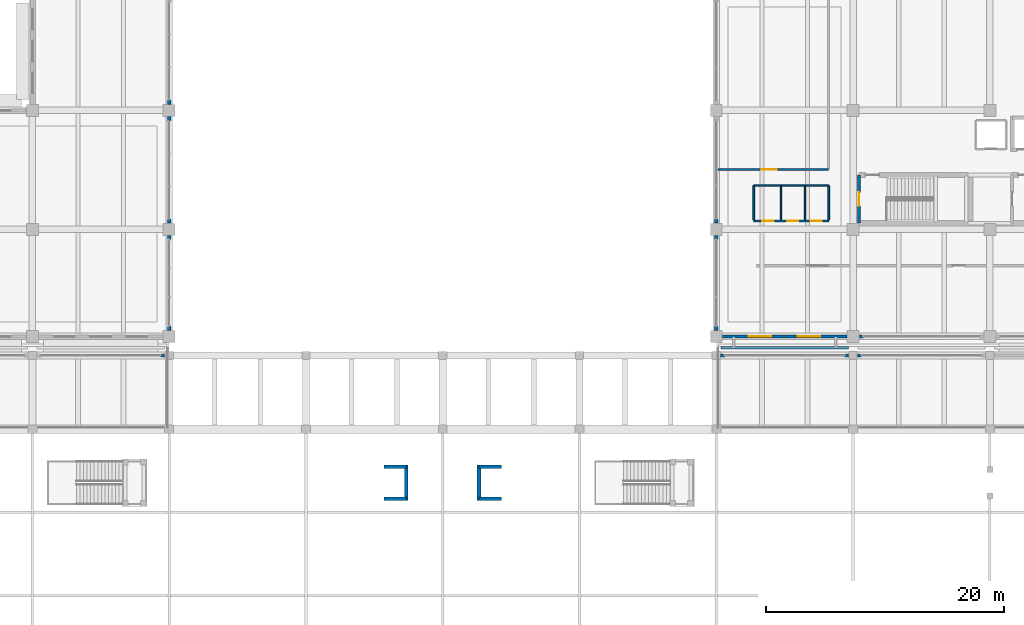
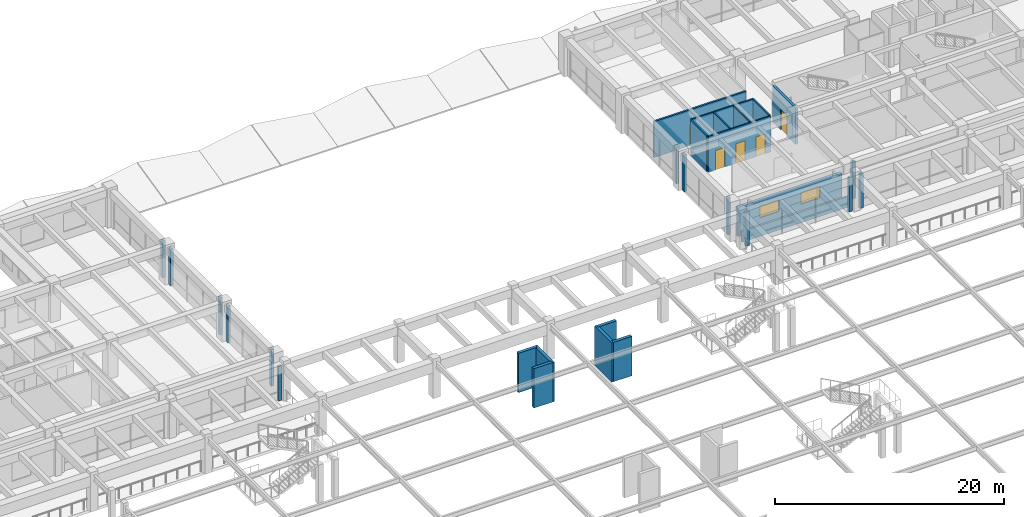
# One storey, part 76 of 98: 29 walls, 5 doors, 2 windows, 7 openings.
"""IFC4 building model written with IfcOpenShell, lengths in metres."""

from ifc_helpers import new_model, si_unit, direction, frame, frame_2d, origin, place, context, subcontext, project, spatial, rectangle, extrude, material, layer, layer_set, type_object, element, fill, save


model = new_model("IFC4")

# Units and contexts
model_context = context("Model", 3, precision=1e-05, world=origin(), true_north=direction((0.0, 1.0)))
body_context = subcontext(model_context, "Body", "Model", "MODEL_VIEW")
ifc_project = project(units=[si_unit("LENGTHUNIT", "METRE"), si_unit("AREAUNIT", "SQUARE_METRE"), si_unit("VOLUMEUNIT", "CUBIC_METRE"), si_unit("PLANEANGLEUNIT", "RADIAN"), si_unit("MASSUNIT", "GRAM", prefix="KILO")], contexts=[model_context])

# Site, building, storey
site_placement = place(None, origin())
site = spatial("IfcSite", under=ifc_project, at=site_placement, CompositionType="ELEMENT")
building_placement = place(site_placement, origin())
building = spatial("IfcBuilding", under=site, at=building_placement, Name="Ologun Quay Terminus", CompositionType="ELEMENT")
storey_placement = place(building_placement, frame((0.0, 0.0, 4.199951171875)))
storey = spatial("IfcBuildingStorey", under=building, at=storey_placement, Name="L01", CompositionType="ELEMENT", Elevation=4.199951171875)

# Walls
ifc_material_1 = material(Name="Concrete C40/50", Category="concrete")
ifc_layer_1 = layer(ifc_material_1, 0.280029296875)
ifc_layer_set_1 = layer_set([ifc_layer_1], Name="Concrete C40/50")
wall_type_1 = type_object("IfcWallType", Name="Courtyard Wing Spandrel Concrete Wall 280", PredefinedType="SOLIDWALL", material=ifc_layer_set_1)
for number, where, z_axis, x_axis, name in (
    (1, (68.280029296875, 84.199951171875, 0.0), (0.0, 0.0, 1.0), (1.0, 0.0, 0.0), "Curtain Wall Jamb Pier CW-L01-089-J2"),
    (2, (115.3701171875, 84.199951171875, 0.0), (0.0, 0.0, 1.0), (1.0, 0.0, 0.0), "Curtain Wall Jamb Pier CW-L01-090-J1"),
    (3, (125.780029296875, 84.199951171875, 0.0), (0.0, 0.0, 1.0), (1.0, 0.0, 0.0), "Curtain Wall Jamb Pier CW-L01-090-J2"),
    (4, (126.8701171875, 84.199951171875, 0.0), (0.0, 0.0, 1.0), (1.0, 0.0, 0.0), "Curtain Wall Jamb Pier CW-L01-091-J1"),
):
    element("IfcWall", number, at=place(storey_placement, frame(where, z_axis=z_axis, x_axis=x_axis)), inside=storey, type_object=wall_type_1, Name=name, PredefinedType="SOLIDWALL", context=body_context, shape_type="SweptSolid", body=[
        extrude(rectangle(XDim=0.349853515625, YDim=0.280029296875, at=frame_2d((0.1748046875, 0.0))), origin(), (0.0, 0.0, 1.0), 3.650146484375),
    ])
wall_1_placement = place(storey_placement, frame((69.0, 86.320068359375, 0.0), z_axis=(0.0, 0.0, 1.0), x_axis=(0.0, 1.0, 0.0)))
element("IfcWall", 5, at=wall_1_placement, inside=storey, type_object=wall_type_1, Name="Curtain Wall Jamb Pier CW-L01-099-J1", PredefinedType="SOLIDWALL", context=body_context, shape_type="SweptSolid", body=[
    extrude(rectangle(XDim=0.349853515625, YDim=0.280029296875, at=frame_2d((0.1748046875, 0.0))), origin(), (0.0, 0.0, 1.0), 3.929931640625),
])
wall_2_placement = place(storey_placement, frame((69.0, 93.929931640625, 0.0), z_axis=(0.0, 0.0, 1.0), x_axis=(0.0, 1.0, 0.0)))
element("IfcWall", 6, at=wall_2_placement, inside=storey, type_object=wall_type_1, Name="Curtain Wall Jamb Pier CW-L01-099-J2", PredefinedType="SOLIDWALL", context=body_context, shape_type="SweptSolid", body=[
    extrude(rectangle(XDim=0.35009765625, YDim=0.280029296875, at=frame_2d((0.175048828125, 0.0))), origin(), (0.0, 0.0, 1.0), 3.929931640625),
])
wall_3_placement = place(storey_placement, frame((69.0, 95.320068359375, 0.0), z_axis=(0.0, 0.0, 1.0), x_axis=(0.0, 1.0, 0.0)))
element("IfcWall", 7, at=wall_3_placement, inside=storey, type_object=wall_type_1, Name="Curtain Wall Jamb Pier CW-L01-100-J1", PredefinedType="SOLIDWALL", context=body_context, shape_type="SweptSolid", body=[
    extrude(rectangle(XDim=0.349853515625, YDim=0.280029296875, at=frame_2d((0.1748046875, 0.0))), origin(), (0.0, 0.0, 1.0), 3.929931640625),
])
wall_4_placement = place(storey_placement, frame((69.0, 103.929931640625, 0.0), z_axis=(0.0, 0.0, 1.0), x_axis=(0.0, 1.0, 0.0)))
element("IfcWall", 8, at=wall_4_placement, inside=storey, type_object=wall_type_1, Name="Curtain Wall Jamb Pier CW-L01-100-J2", PredefinedType="SOLIDWALL", context=body_context, shape_type="SweptSolid", body=[
    extrude(rectangle(XDim=0.35009765625, YDim=0.280029296875, at=frame_2d((0.175048828125, 0.0))), origin(), (0.0, 0.0, 1.0), 3.929931640625),
])
wall_5_placement = place(storey_placement, frame((69.0, 105.320068359375, 0.0), z_axis=(0.0, 0.0, 1.0), x_axis=(0.0, 1.0, 0.0)))
element("IfcWall", 9, at=wall_5_placement, inside=storey, type_object=wall_type_1, Name="Curtain Wall Jamb Pier CW-L01-101-J1", PredefinedType="SOLIDWALL", context=body_context, shape_type="SweptSolid", body=[
    extrude(rectangle(XDim=0.349853515625, YDim=0.280029296875, at=frame_2d((0.1748046875, 0.0))), origin(), (0.0, 0.0, 1.0), 3.929931640625),
])

# Wall, openings, windows
wall_6_placement = place(storey_placement, frame((115.52001953125, 85.800048828125, 0.0), z_axis=(0.0, 0.0, 1.0), x_axis=(1.0, 0.0, 0.0)))
wall_6 = element("IfcWall", 10, at=wall_6_placement, inside=storey, type_object=wall_type_1, Name="EW-02 Facade Wall WEW-EW-L01-1", PredefinedType="SOLIDWALL", context=body_context, shape_type="SweptSolid", body=[
    extrude(rectangle(XDim=10.4599609375, YDim=0.280029296875, at=frame_2d((5.22998046875, 0.0))), origin(), (0.0, 0.0, 1.0), 3.150146484375),
])
opening_1_placement = place(wall_6_placement, frame((2.219970703125, 0.0, 1.25)))
opening_1 = element("IfcOpeningElement", 11, at=opening_1_placement, cuts=wall_6, Name="Opening WN-356", PredefinedType="OPENING", context=body_context, shape_type="SweptSolid", body=[
    extrude(rectangle(XDim=1.89990234375, YDim=1.25, at=frame_2d((0.949951171875, 0.625))), frame((0.0, 0.14990234375, 0.0), z_axis=(0.0, -1.0, 0.0), x_axis=(1.0, 0.0, 0.0)), (0.0, 0.0, 1.0), 0.300048828125),
])
opening_2_placement = place(wall_6_placement, frame((6.340087890625, 0.0, 1.25)))
opening_2 = element("IfcOpeningElement", 12, at=opening_2_placement, cuts=wall_6, Name="Opening WN-357", PredefinedType="OPENING", context=body_context, shape_type="SweptSolid", body=[
    extrude(rectangle(XDim=1.89990234375, YDim=1.25, at=frame_2d((0.949951171875, 0.625))), frame((0.0, 0.14990234375, 0.0), z_axis=(0.0, -1.0, 0.0), x_axis=(1.0, 0.0, 0.0)), (0.0, 0.0, 1.0), 0.300048828125),
])
ifc_material_2 = material(Name="Glass", Category="glass")
window_type = type_object("IfcWindowType", Name="Signalling Equipment High Window 1900x1250", PartitioningType="SINGLE_PANEL", PredefinedType="WINDOW", material=ifc_material_2)
window_1_placement = place(opening_1_placement, origin())
window_1 = element("IfcWindow", 13, at=window_1_placement, inside=storey, type_object=window_type, Name="W-18 Window WN-356", OverallHeight=1.25, OverallWidth=1.89990234375, PartitioningType="SINGLE_PANEL", PredefinedType="WINDOW", context=body_context, shape_type="SweptSolid", body=[
    extrude(rectangle(XDim=1.89990234375, YDim=1.25, at=frame_2d((0.949951171875, 0.625))), frame((0.0, 0.030029296875, 0.0), z_axis=(0.0, -1.0, 0.0), x_axis=(1.0, 0.0, 0.0)), (0.0, 0.0, 1.0), 0.06005859375),
])
fill(opening_1, window_1)
window_2_placement = place(opening_2_placement, origin())
window_2 = element("IfcWindow", 14, at=window_2_placement, inside=storey, type_object=window_type, Name="W-18 Window WN-357", OverallHeight=1.25, OverallWidth=1.89990234375, PartitioningType="SINGLE_PANEL", PredefinedType="WINDOW", context=body_context, shape_type="SweptSolid", body=[
    extrude(rectangle(XDim=1.89990234375, YDim=1.25, at=frame_2d((0.949951171875, 0.625))), frame((0.0, 0.030029296875, 0.0), z_axis=(0.0, -1.0, 0.0), x_axis=(1.0, 0.0, 0.0)), (0.0, 0.0, 1.0), 0.06005859375),
])
fill(opening_2, window_2)

# Walls
wall_7_placement = place(storey_placement, frame((127.02001953125, 85.800048828125, 0.0), z_axis=(0.0, 0.0, 1.0), x_axis=(1.0, 0.0, 0.0)))
element("IfcWall", 15, at=wall_7_placement, inside=storey, type_object=wall_type_1, Name="Curtain Wall Jamb Pier CW-L01-124-J1", PredefinedType="SOLIDWALL", context=body_context, shape_type="SweptSolid", body=[
    extrude(rectangle(XDim=0.35009765625, YDim=0.280029296875, at=frame_2d((0.175048828125, 0.0))), origin(), (0.0, 0.0, 1.0), 3.929931640625),
])
wall_8_placement = place(storey_placement, frame((115.0, 86.320068359375, 0.0), z_axis=(0.0, 0.0, 1.0), x_axis=(0.0, 1.0, 0.0)))
element("IfcWall", 16, at=wall_8_placement, inside=storey, type_object=wall_type_1, Name="Curtain Wall Jamb Pier CW-L01-128-J1", PredefinedType="SOLIDWALL", context=body_context, shape_type="SweptSolid", body=[
    extrude(rectangle(XDim=0.349853515625, YDim=0.280029296875, at=frame_2d((0.1748046875, 0.0))), origin(), (0.0, 0.0, 1.0), 3.929931640625),
])
wall_9_placement = place(storey_placement, frame((115.0, 93.929931640625, 0.0), z_axis=(0.0, 0.0, 1.0), x_axis=(0.0, 1.0, 0.0)))
element("IfcWall", 17, at=wall_9_placement, inside=storey, type_object=wall_type_1, Name="Curtain Wall Jamb Pier CW-L01-128-J2", PredefinedType="SOLIDWALL", context=body_context, shape_type="SweptSolid", body=[
    extrude(rectangle(XDim=0.35009765625, YDim=0.280029296875, at=frame_2d((0.175048828125, 0.0))), origin(), (0.0, 0.0, 1.0), 3.929931640625),
])
wall_10_placement = place(storey_placement, frame((115.0, 95.320068359375, 0.0), z_axis=(0.0, 0.0, 1.0), x_axis=(0.0, 1.0, 0.0)))
element("IfcWall", 18, at=wall_10_placement, inside=storey, type_object=wall_type_1, Name="Curtain Wall Jamb Pier CW-L01-129-J1", PredefinedType="SOLIDWALL", context=body_context, shape_type="SweptSolid", body=[
    extrude(rectangle(XDim=0.349853515625, YDim=0.280029296875, at=frame_2d((0.1748046875, 0.0))), origin(), (0.0, 0.0, 1.0), 3.929931640625),
])

# Wall, opening, door
ifc_material_3 = material(Name="Concrete C40/50", Category="concrete")
ifc_layer_2 = layer(ifc_material_3, 0.239990234375)
ifc_layer_set_2 = layer_set([ifc_layer_2], Name="Concrete C40/50")
wall_type_2 = type_object("IfcWallType", Name="Fire Compartment Blockwork Wall 240", PredefinedType="SOLIDWALL", material=ifc_layer_set_2)
wall_11_placement = place(storey_placement, frame((127.0, 95.330078125, 0.0), z_axis=(0.0, 0.0, 1.0), x_axis=(0.0, 1.0, 0.0)))
wall_11 = element("IfcWall", 19, at=wall_11_placement, inside=storey, type_object=wall_type_2, Name="PW-01 Partition EStair1-W", PredefinedType="SOLIDWALL", context=body_context, shape_type="SweptSolid", body=[
    extrude(rectangle(XDim=4.0400390625, YDim=0.239990234375, at=frame_2d((2.02001953125, 0.0))), origin(), (0.0, 0.0, 1.0), 3.840087890625),
])
opening_3_placement = place(wall_11_placement, frame((1.449951171875, 0.0, 0.0)))
opening_3 = element("IfcOpeningElement", 20, at=opening_3_placement, cuts=wall_11, Name="Opening ID-176", PredefinedType="OPENING", context=body_context, shape_type="SweptSolid", body=[
    extrude(rectangle(XDim=1.1298828125, YDim=2.14990234375, at=frame_2d((0.56494140625, 1.074951171875))), frame((0.0, 0.1298828125, 0.0), z_axis=(0.0, -1.0, 0.0), x_axis=(1.0, 0.0, 0.0)), (0.0, 0.0, 1.0), 0.260009765625),
])
ifc_material_4 = material(Name="Steel S355", Category="steel")
door_type_1 = type_object("IfcDoorType", Name="Stairwell Fire Escape Door 1130x2150", OperationType="SINGLE_SWING_LEFT", PredefinedType="DOOR", material=ifc_material_4)
door_1_placement = place(opening_3_placement, frame((0.56494140625, 0.0, 0.0), z_axis=(0.0, 0.0, 1.0), x_axis=(-1.0, 0.0, 0.0)))
door_1 = element("IfcDoor", 21, at=door_1_placement, inside=storey, type_object=door_type_1, Name="FD-01 Door ID-176", OperationType="SINGLE_SWING_LEFT", OverallHeight=2.14990234375, OverallWidth=1.1298828125, PredefinedType="DOOR", context=body_context, shape_type="SweptSolid", body=[
    extrude(rectangle(XDim=1.1298828125, YDim=2.14990234375, at=frame_2d((0.0, 1.074951171875))), frame((0.0, 0.02490234375, 0.0), z_axis=(0.0, -1.0, 0.0), x_axis=(1.0, 0.0, 0.0)), (0.0, 0.0, 1.0), 0.050048828125),
])
fill(opening_3, door_1)

# Walls
ifc_material_5 = material(Name="Concrete C40/50", Category="concrete")
ifc_layer_3 = layer(ifc_material_5, 0.300048828125)
ifc_layer_set_3 = layer_set([ifc_layer_3], Name="Concrete C40/50")
wall_type_3 = type_object("IfcWallType", Name="Lift Shaft Structural Shear Wall 300", PredefinedType="SHEAR", material=ifc_layer_set_3)
for number, where, z_axis, x_axis, name in (
    (22, (87.050048828125, 72.14990234375, 0.0), (0.0, 0.0, 1.0), (1.0, 0.0, 0.0), "Lift PL-P3 Shaft Wall S L01"),
    (23, (87.050048828125, 74.85009765625, 0.0), (0.0, 0.0, 1.0), (1.0, 0.0, 0.0), "Lift PL-P3 Shaft Wall N L01"),
):
    element("IfcWall", number, at=place(storey_placement, frame(where, z_axis=z_axis, x_axis=x_axis)), inside=storey, type_object=wall_type_3, Name=name, PredefinedType="SHEAR", context=body_context, shape_type="SweptSolid", body=[
        extrude(rectangle(XDim=1.89990234375, YDim=0.300048828125, at=frame_2d((0.949951171875, 0.0))), origin(), (0.0, 0.0, 1.0), 4.199951171875),
    ])
wall_12_placement = place(storey_placement, frame((88.949951171875, 72.0, 0.0), z_axis=(0.0, 0.0, 1.0), x_axis=(0.0, 1.0, 0.0)))
element("IfcWall", 24, at=wall_12_placement, inside=storey, type_object=wall_type_3, Name="Lift PL-P3 Shaft Wall E L01", PredefinedType="SHEAR", context=body_context, shape_type="SweptSolid", body=[
    extrude(rectangle(XDim=3.0, YDim=0.300048828125, at=frame_2d((1.5, 0.0))), origin(), (0.0, 0.0, 1.0), 4.199951171875),
])
for number, where, z_axis, x_axis, name in (
    (25, (95.050048828125, 72.14990234375, 0.0), (0.0, 0.0, 1.0), (1.0, 0.0, 0.0), "Lift PL-P4 Shaft Wall S L01"),
    (26, (95.050048828125, 74.85009765625, 0.0), (0.0, 0.0, 1.0), (1.0, 0.0, 0.0), "Lift PL-P4 Shaft Wall N L01"),
):
    element("IfcWall", number, at=place(storey_placement, frame(where, z_axis=z_axis, x_axis=x_axis)), inside=storey, type_object=wall_type_3, Name=name, PredefinedType="SHEAR", context=body_context, shape_type="SweptSolid", body=[
        extrude(rectangle(XDim=1.89990234375, YDim=0.300048828125, at=frame_2d((0.949951171875, 0.0))), origin(), (0.0, 0.0, 1.0), 4.199951171875),
    ])
wall_13_placement = place(storey_placement, frame((95.050048828125, 72.0, 0.0), z_axis=(0.0, 0.0, 1.0), x_axis=(0.0, 1.0, 0.0)))
element("IfcWall", 27, at=wall_13_placement, inside=storey, type_object=wall_type_3, Name="Lift PL-P4 Shaft Wall W L01", PredefinedType="SHEAR", context=body_context, shape_type="SweptSolid", body=[
    extrude(rectangle(XDim=3.0, YDim=0.300048828125, at=frame_2d((1.5, 0.0))), origin(), (0.0, 0.0, 1.0), 4.199951171875),
])
ifc_material_6 = material(Name="Gypsum Acoustic Stud")
ifc_layer_4 = layer(ifc_material_6, 0.10498046875)
ifc_layer_set_4 = layer_set([ifc_layer_4], Name="Gypsum Acoustic Stud")
wall_type_4 = type_object("IfcWallType", Name="Light Cubicle Partition 105", PredefinedType="PARTITIONING", material=ifc_layer_set_4)
for number, where, z_axis, x_axis, name in (
    (28, (120.449951171875, 95.60009765625, 0.0), (0.0, 0.0, 1.0), (0.0, 1.0, 0.0), "PW-13 Partition EWC-D1"),
    (29, (122.449951171875, 95.60009765625, 0.0), (0.0, 0.0, 1.0), (0.0, 1.0, 0.0), "PW-13 Partition EWC-D2"),
):
    element("IfcWall", number, at=place(storey_placement, frame(where, z_axis=z_axis, x_axis=x_axis)), inside=storey, type_object=wall_type_4, Name=name, PredefinedType="PARTITIONING", context=body_context, shape_type="SweptSolid", body=[
        extrude(rectangle(XDim=2.849853515625, YDim=0.10498046875, at=frame_2d((1.4248046875, 0.0))), origin(), (0.0, 0.0, 1.0), 3.840087890625),
    ])
ifc_material_7 = material(Name="Concrete C40/50", Category="concrete")
ifc_layer_5 = layer(ifc_material_7, 0.18994140625)
ifc_layer_set_5 = layer_set([ifc_layer_5], Name="Concrete C40/50")
wall_type_5 = type_object("IfcWallType", Name="Movement Joint Weathering Upstand 190", PredefinedType="PARAPET", material=ifc_layer_set_5)
wall_14_placement = place(storey_placement, frame((115.39990234375, 84.860107421875, 0.0), z_axis=(0.0, 0.0, 1.0), x_axis=(1.0, 0.0, 0.0)))
element("IfcWall", 30, at=wall_14_placement, inside=storey, type_object=wall_type_5, Name="EW-07 Movement Joint Upstand L01-11", PredefinedType="PARAPET", context=body_context, shape_type="SweptSolid", body=[
    extrude(rectangle(XDim=10.7001953125, YDim=0.18994140625, at=frame_2d((5.35009765625, 0.0))), origin(), (0.0, 0.0, 1.0), 1.150146484375),
])

# Wall, opening, door
ifc_material_8 = material(Name="Gypsum Acoustic Stud")
ifc_layer_6 = layer(ifc_material_8, 0.175048828125)
ifc_layer_set_6 = layer_set([ifc_layer_6], Name="Gypsum Acoustic Stud")
wall_type_6 = type_object("IfcWallType", Name="Operations & Control Acoustic Partition 175", PredefinedType="PARTITIONING", material=ifc_layer_set_6)
wall_15_placement = place(storey_placement, frame((115.159912109375, 99.85009765625, 0.0), z_axis=(0.0, 0.0, 1.0), x_axis=(1.0, 0.0, 0.0)))
wall_15 = element("IfcWall", 31, at=wall_15_placement, inside=storey, type_object=wall_type_6, Name="PW-03 Partition L01-Signalling-E", PredefinedType="PARTITIONING", context=body_context, shape_type="SweptSolid", body=[
    extrude(rectangle(XDim=9.2900390625, YDim=0.175048828125, at=frame_2d((4.64501953125, 0.0))), origin(), (0.0, 0.0, 1.0), 3.840087890625),
])
opening_4_placement = place(wall_15_placement, frame((3.639892578125, 0.0, 0.0)))
opening_4 = element("IfcOpeningElement", 32, at=opening_4_placement, cuts=wall_15, Name="Opening ID-310", PredefinedType="OPENING", context=body_context, shape_type="SweptSolid", body=[
    extrude(rectangle(XDim=1.300048828125, YDim=2.199951171875, at=frame_2d((0.64990234375, 1.10009765625))), frame((0.0, 0.09765625, 0.0), z_axis=(0.0, -1.0, 0.0), x_axis=(1.0, 0.0, 0.0)), (0.0, 0.0, 1.0), 0.195068359375),
])
ifc_material_9 = material(Name="Steel S355", Category="steel")
door_type_2 = type_object("IfcDoorType", Name="Traffic Control Security Door 1300x2200", OperationType="SINGLE_SWING_LEFT", PredefinedType="DOOR", material=ifc_material_9)
door_2_placement = place(opening_4_placement, origin())
door_2 = element("IfcDoor", 33, at=door_2_placement, inside=storey, type_object=door_type_2, Name="ID-09 Door ID-310", OperationType="SINGLE_SWING_LEFT", OverallHeight=2.199951171875, OverallWidth=1.300048828125, PredefinedType="DOOR", context=body_context, shape_type="SweptSolid", body=[
    extrude(rectangle(XDim=1.300048828125, YDim=2.199951171875, at=frame_2d((0.64990234375, 1.10009765625))), frame((0.0, 0.02490234375, 0.0), z_axis=(0.0, -1.0, 0.0), x_axis=(1.0, 0.0, 0.0)), (0.0, 0.0, 1.0), 0.050048828125),
])
fill(opening_4, door_2)

# Wall, openings, doors
ifc_material_10 = material(Name="Concrete C40/50", Category="concrete")
ifc_layer_7 = layer(ifc_material_10, 0.139892578125)
ifc_layer_set_7 = layer_set([ifc_layer_7], Name="Concrete C40/50")
wall_type_7 = type_object("IfcWallType", Name="Sanitary Wet-Area Blockwork Wall 140", PredefinedType="PLUMBINGWALL", material=ifc_layer_set_7)
wall_16_placement = place(storey_placement, frame((118.14990234375, 95.5, 0.0), z_axis=(0.0, 0.0, 1.0), x_axis=(1.0, 0.0, 0.0)))
wall_16 = element("IfcWall", 34, at=wall_16_placement, inside=storey, type_object=wall_type_7, Name="PW-06 Partition EWC-S", PredefinedType="PLUMBINGWALL", context=body_context, shape_type="SweptSolid", body=[
    extrude(rectangle(XDim=6.300048828125, YDim=0.139892578125, at=frame_2d((3.14990234375, 0.0))), origin(), (0.0, 0.0, 1.0), 3.840087890625),
])
opening_5_placement = place(wall_16_placement, frame((0.719970703125, 0.0, 0.0)))
opening_5 = element("IfcOpeningElement", 35, at=opening_5_placement, cuts=wall_16, Name="Opening ID-182", PredefinedType="OPENING", context=body_context, shape_type="SweptSolid", body=[
    extrude(rectangle(XDim=0.949951171875, YDim=2.10009765625, at=frame_2d((0.47509765625, 1.050048828125))), frame((0.0, 0.080078125, 0.0), z_axis=(0.0, -1.0, 0.0), x_axis=(1.0, 0.0, 0.0)), (0.0, 0.0, 1.0), 0.159912109375),
])
opening_6_placement = place(wall_16_placement, frame((2.800048828125, 0.0, 0.0)))
opening_6 = element("IfcOpeningElement", 36, at=opening_6_placement, cuts=wall_16, Name="Opening ID-183", PredefinedType="OPENING", context=body_context, shape_type="SweptSolid", body=[
    extrude(rectangle(XDim=0.919921875, YDim=2.10009765625, at=frame_2d((0.4599609375, 1.050048828125))), frame((0.0, 0.080078125, 0.0), z_axis=(0.0, -1.0, 0.0), x_axis=(1.0, 0.0, 0.0)), (0.0, 0.0, 1.0), 0.159912109375),
])
opening_7_placement = place(wall_16_placement, frame((4.800048828125, 0.0, 0.0)))
opening_7 = element("IfcOpeningElement", 37, at=opening_7_placement, cuts=wall_16, Name="Opening ID-184", PredefinedType="OPENING", context=body_context, shape_type="SweptSolid", body=[
    extrude(rectangle(XDim=0.919921875, YDim=2.10009765625, at=frame_2d((0.4599609375, 1.050048828125))), frame((0.0, 0.080078125, 0.0), z_axis=(0.0, -1.0, 0.0), x_axis=(1.0, 0.0, 0.0)), (0.0, 0.0, 1.0), 0.159912109375),
])
ifc_material_11 = material(Name="Timber Hardwood", Category="wood")
door_type_3 = type_object("IfcDoorType", Name="Accessible WC Outward-Swing Door 950x2100", OperationType="SINGLE_SWING_LEFT", PredefinedType="DOOR", material=ifc_material_11)
door_3_placement = place(opening_5_placement, frame((0.47509765625, 0.0, 0.0), z_axis=(0.0, 0.0, 1.0), x_axis=(-1.0, 0.0, 0.0)))
door_3 = element("IfcDoor", 38, at=door_3_placement, inside=storey, type_object=door_type_3, Name="ID-04 Door ID-182", OperationType="SINGLE_SWING_LEFT", OverallHeight=2.10009765625, OverallWidth=0.949951171875, PredefinedType="DOOR", context=body_context, shape_type="SweptSolid", body=[
    extrude(rectangle(XDim=0.949951171875, YDim=2.10009765625, at=frame_2d((0.0, 1.050048828125))), frame((0.0, 0.02490234375, 0.0), z_axis=(0.0, -1.0, 0.0), x_axis=(1.0, 0.0, 0.0)), (0.0, 0.0, 1.0), 0.050048828125),
])
fill(opening_5, door_3)
ifc_material_12 = material(Name="Timber Hardwood", Category="wood")
door_type_4 = type_object("IfcDoorType", Name="Sanitary Block Entrance Door 920x2100", OperationType="SINGLE_SWING_RIGHT", PredefinedType="DOOR", material=ifc_material_12)
door_4_placement = place(opening_6_placement, origin())
door_4 = element("IfcDoor", 39, at=door_4_placement, inside=storey, type_object=door_type_4, Name="ID-05 Door ID-183", OperationType="SINGLE_SWING_RIGHT", OverallHeight=2.10009765625, OverallWidth=0.919921875, PredefinedType="DOOR", context=body_context, shape_type="SweptSolid", body=[
    extrude(rectangle(XDim=0.919921875, YDim=2.10009765625, at=frame_2d((0.4599609375, 1.050048828125))), frame((0.0, 0.02490234375, 0.0), z_axis=(0.0, -1.0, 0.0), x_axis=(1.0, 0.0, 0.0)), (0.0, 0.0, 1.0), 0.050048828125),
])
fill(opening_6, door_4)
door_5_placement = place(opening_7_placement, origin())
door_5 = element("IfcDoor", 40, at=door_5_placement, inside=storey, type_object=door_type_4, Name="ID-05 Door ID-184", OperationType="SINGLE_SWING_RIGHT", OverallHeight=2.10009765625, OverallWidth=0.919921875, PredefinedType="DOOR", context=body_context, shape_type="SweptSolid", body=[
    extrude(rectangle(XDim=0.919921875, YDim=2.10009765625, at=frame_2d((0.4599609375, 1.050048828125))), frame((0.0, 0.02490234375, 0.0), z_axis=(0.0, -1.0, 0.0), x_axis=(1.0, 0.0, 0.0)), (0.0, 0.0, 1.0), 0.050048828125),
])
fill(opening_7, door_5)

# Walls
for number, where, z_axis, x_axis, name in (
    (41, (118.14990234375, 95.60009765625, 0.0), (0.0, 0.0, 1.0), (0.0, 1.0, 0.0), "PW-06 Partition EWC-W"),
    (42, (124.449951171875, 95.60009765625, 0.0), (0.0, 0.0, 1.0), (0.0, 1.0, 0.0), "PW-06 Partition EWC-E"),
):
    element("IfcWall", number, at=place(storey_placement, frame(where, z_axis=z_axis, x_axis=x_axis)), inside=storey, type_object=wall_type_7, Name=name, PredefinedType="PLUMBINGWALL", context=body_context, shape_type="SweptSolid", body=[
        extrude(rectangle(XDim=2.849853515625, YDim=0.139892578125, at=frame_2d((1.4248046875, 0.0))), origin(), (0.0, 0.0, 1.0), 3.840087890625),
    ])
wall_17_placement = place(storey_placement, frame((118.14990234375, 98.5, 0.0), z_axis=(0.0, 0.0, 1.0), x_axis=(1.0, 0.0, 0.0)))
element("IfcWall", 43, at=wall_17_placement, inside=storey, type_object=wall_type_7, Name="PW-06 Partition EWC-N", PredefinedType="PLUMBINGWALL", context=body_context, shape_type="SweptSolid", body=[
    extrude(rectangle(XDim=6.300048828125, YDim=0.139892578125, at=frame_2d((3.14990234375, 0.0))), origin(), (0.0, 0.0, 1.0), 3.840087890625),
])

save(model, "model.ifc")
